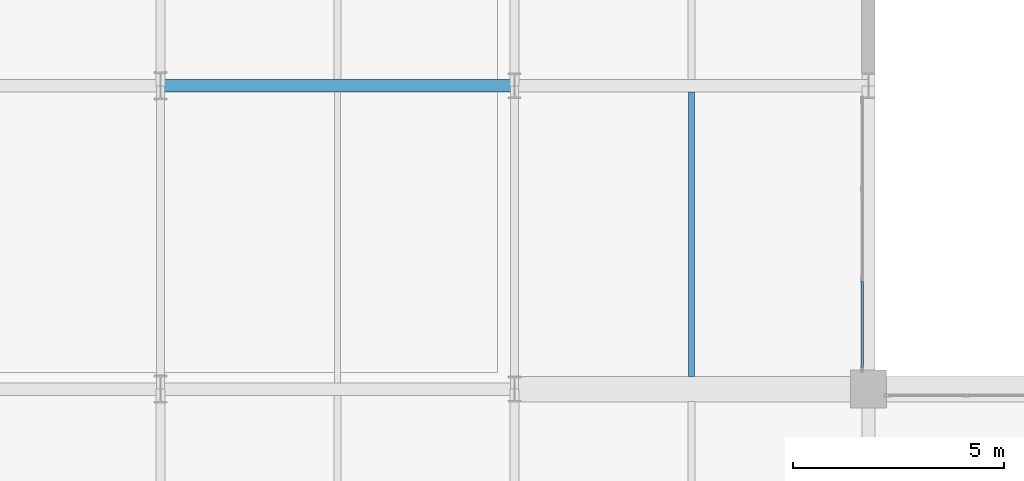
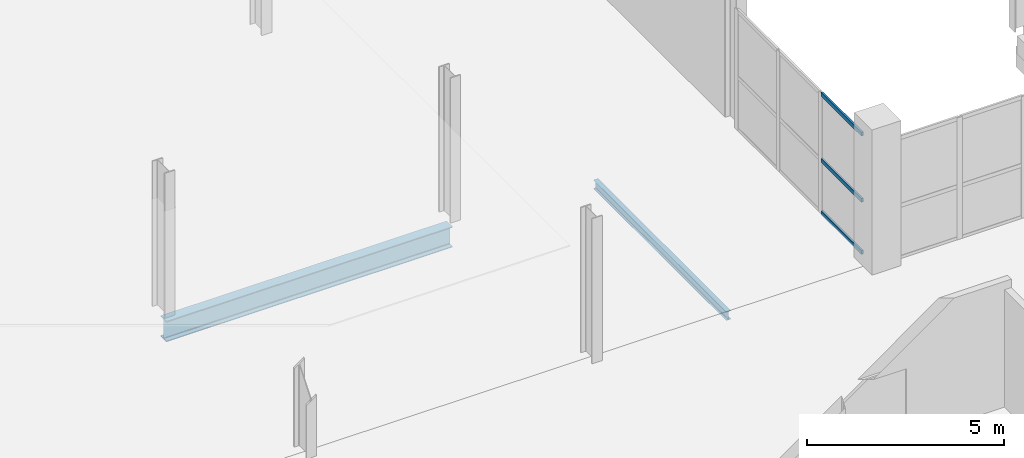
# One storey, part 48 of 130: 3 members, 2 beams, 1 element without a shape of its own.
"""IFC4 building model written with IfcOpenShell, lengths in metres."""

from ifc_helpers import new_model, si_unit, direction, frame, origin, origin_2d, place, context, subcontext, project, spatial, hollow_rectangle, i_section, extrude, material, material_profile, profile_set, type_object, element, aggregate, save


model = new_model("IFC4")

# Units and contexts
model_context = context("Model", 3, precision=1e-05, world=origin(), true_north=direction((0.0, 1.0)))
body_context = subcontext(model_context, "Body", "Model", "MODEL_VIEW")
ifc_project = project(units=[si_unit("LENGTHUNIT", "METRE"), si_unit("AREAUNIT", "SQUARE_METRE"), si_unit("VOLUMEUNIT", "CUBIC_METRE"), si_unit("PLANEANGLEUNIT", "RADIAN"), si_unit("MASSUNIT", "GRAM", prefix="KILO")], contexts=[model_context])

# Site, building, storey
site_placement = place(None, origin())
site = spatial("IfcSite", under=ifc_project, at=site_placement, CompositionType="ELEMENT")
building_placement = place(site_placement, origin())
building = spatial("IfcBuilding", under=site, at=building_placement, Name="Veltarok Museum of Natural Sciences", CompositionType="ELEMENT")
storey_placement = place(building_placement, frame((0.0, 0.0, 12.89990234375)))
storey = spatial("IfcBuildingStorey", under=building, at=storey_placement, Name="L02", CompositionType="ELEMENT", Elevation=12.89990234375)

# Curtain wall, members
ifc_material_1 = material(Name="Low-iron triple insulated glass", Category="glass")
curtain_wall_type = type_object("IfcCurtainWallType", Name="Curtain Wall System CW-V2E-L02-3-645x373 (CW-V2E L02 645x373cm)", PredefinedType="NOTDEFINED", material=ifc_material_1)
curtain_wall_placement = place(storey_placement, origin())
curtain_wall = element("IfcCurtainWall", 1, at=curtain_wall_placement, inside=storey, type_object=curtain_wall_type, Name="Curtain Wall CW-V2E-L02-3-645x373 CW-0131", PredefinedType="NOTDEFINED")
ifc_material_2 = material(Name="Thermally broken anodised aluminium", Category="aluminium")
ifc_material_profile_1 = material_profile(ifc_material_2, hollow_rectangle(XDim=0.06005859375, YDim=0.1201171875, WallThickness=0.0048828125, at=origin_2d()), Name="CW TRANSOM 60x120x5")
ifc_profile_set_1 = profile_set([ifc_material_profile_1], Name="Thermally broken anodised aluminium")
member_type = type_object("IfcMemberType", Name="Curtain Wall Horizontal Transom 60x120x5", PredefinedType="USERDEFINED", material=ifc_profile_set_1)
member_1_placement = place(storey_placement, frame((98.64990234375, 19.7099609375, 0.028076171875), z_axis=(0.0, 1.0, 0.0), x_axis=(-1.0, 0.0, 0.0)))
member_1 = element("IfcMember", 2, at=member_1_placement, type_object=member_type, Name="CW-V2E-L02-3-645x373 transom 1.1", ObjectType="TRANSOM", PredefinedType="USERDEFINED", context=body_context, shape_type="SweptSolid", body=[
    extrude(hollow_rectangle(XDim=0.06005859375, YDim=0.1201171875, WallThickness=0.0048828125, at=origin_2d()), origin(), (0.0, 0.0, 1.0), 2.06005859375),
])
member_2_placement = place(storey_placement, frame((98.64990234375, 19.7099609375, 1.648193359375), z_axis=(0.0, 1.0, 0.0), x_axis=(-1.0, 0.0, 0.0)))
member_2 = element("IfcMember", 3, at=member_2_placement, type_object=member_type, Name="CW-V2E-L02-3-645x373 transom 1.2", ObjectType="TRANSOM", PredefinedType="USERDEFINED", context=body_context, shape_type="SweptSolid", body=[
    extrude(hollow_rectangle(XDim=0.06005859375, YDim=0.1201171875, WallThickness=0.0048828125, at=origin_2d()), origin(), (0.0, 0.0, 1.0), 2.06005859375),
])
member_3_placement = place(storey_placement, frame((98.64990234375, 19.7099609375, 3.7001953125), z_axis=(0.0, 1.0, 0.0), x_axis=(-1.0, 0.0, 0.0)))
member_3 = element("IfcMember", 4, at=member_3_placement, type_object=member_type, Name="CW-V2E-L02-3-645x373 transom 1.3", ObjectType="TRANSOM", PredefinedType="USERDEFINED", context=body_context, shape_type="SweptSolid", body=[
    extrude(hollow_rectangle(XDim=0.06005859375, YDim=0.1201171875, WallThickness=0.0048828125, at=origin_2d()), origin(), (0.0, 0.0, 1.0), 2.06005859375),
])
aggregate(curtain_wall, [member_1, member_2, member_3])

# Beams
ifc_material_3 = material(Name="Steel S355J2", Category="steel")
ifc_material_profile_2 = material_profile(ifc_material_3, i_section(OverallWidth=0.300048828125, OverallDepth=0.639892578125, WebThickness=0.013427734375, FlangeThickness=0.02587890625, FilletRadius=0.027099609375, at=origin_2d()), Name="HEA 650")
ifc_profile_set_2 = profile_set([ifc_material_profile_2], Name="Steel S355J2")
beam_type_1 = type_object("IfcBeamType", Name="Heavy Exhibition Girder HEA 650", PredefinedType="BEAM", material=ifc_profile_set_2)
beam_1_placement = place(storey_placement, frame((82.0, 26.39990234375, -0.56982421875), z_axis=(1.0, 0.0, 0.0), x_axis=(0.0, 1.0, 0.0)))
element("IfcBeam", 5, at=beam_1_placement, inside=storey, type_object=beam_type_1, Name="Beam BM-G08 L02 10-11/D", PredefinedType="BEAM", context=body_context, shape_type="SweptSolid", body=[
    extrude(i_section(OverallWidth=0.300048828125, OverallDepth=0.639892578125, WebThickness=0.013427734375, FlangeThickness=0.02587890625, FilletRadius=0.027099609375, at=origin_2d()), origin(), (0.0, 0.0, 1.0), 8.39990234375),
])
ifc_material_profile_3 = material_profile(ifc_material_3, i_section(OverallWidth=0.135009765625, OverallDepth=0.27001953125, WebThickness=0.006591796875, FlangeThickness=0.01025390625, FilletRadius=0.014892578125, at=origin_2d()), Name="IPE 270")
ifc_profile_set_3 = profile_set([ifc_material_profile_3], Name="Steel S355J2")
beam_type_2 = type_object("IfcBeamType", Name="Short-Bay Composite Joist IPE 270", PredefinedType="JOIST", material=ifc_profile_set_3)
beam_2_placement = place(storey_placement, frame((94.60009765625, 19.498046875, -0.385009765625), z_axis=(0.0, 1.0, 0.0), x_axis=(-1.0, 0.0, 0.0)))
element("IfcBeam", 6, at=beam_2_placement, inside=storey, type_object=beam_type_2, Name="Secondary Joist BM-J04 L02 11-12/C-D.1", PredefinedType="JOIST", context=body_context, shape_type="SweptSolid", body=[
    extrude(i_section(OverallWidth=0.135009765625, OverallDepth=0.27001953125, WebThickness=0.006591796875, FlangeThickness=0.01025390625, FilletRadius=0.014892578125, at=origin_2d()), origin(), (0.0, 0.0, 1.0), 6.75390625),
])

save(model, "model.ifc")
